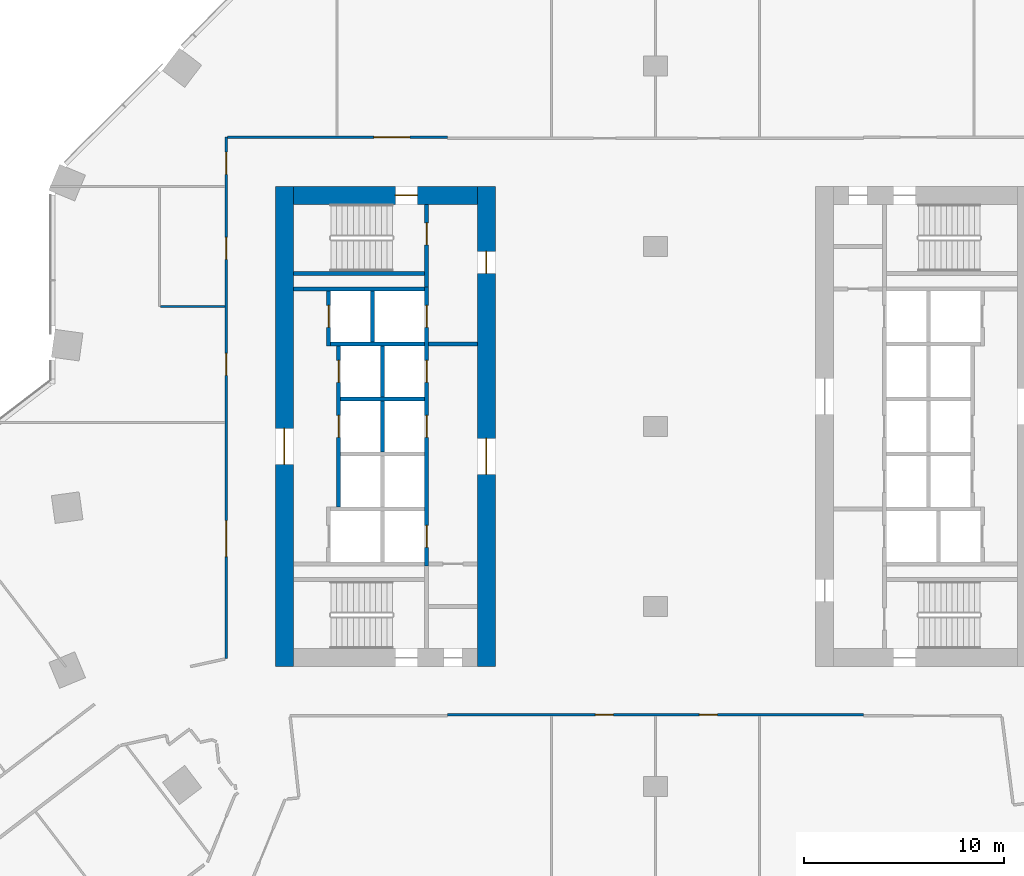
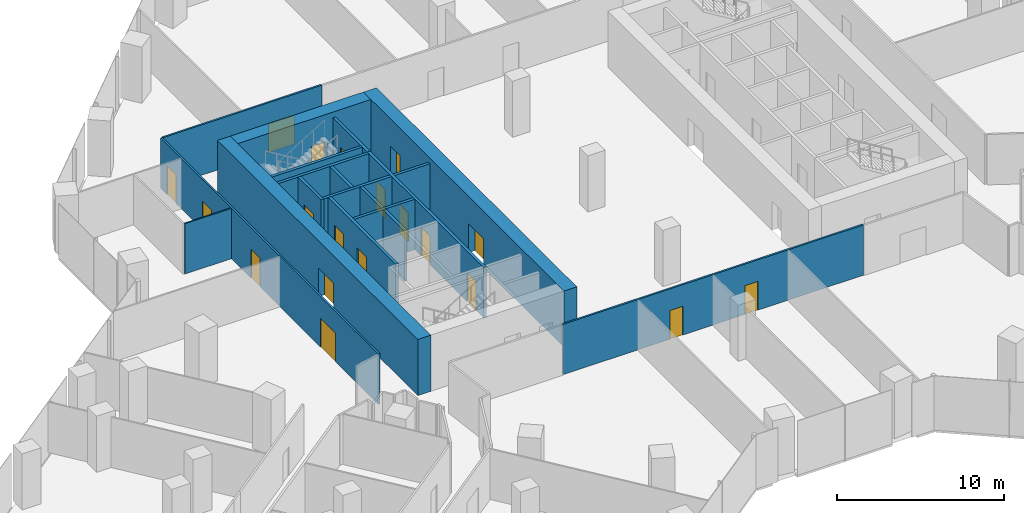
# One storey, part 23 of 29: 19 doors, 19 walls, 19 openings.
"""IFC4 building model written with IfcOpenShell, lengths in metres."""

from ifc_helpers import new_model, si_unit, direction, frame, frame_2d, origin, place, context, subcontext, project, spatial, rectangle, extrude, material, layer, layer_set, type_object, element, fill, save


model = new_model("IFC4")

# Units and contexts
model_context = context("Model", 3, precision=1e-05, world=origin(), true_north=direction((0.0, 1.0)))
body_context = subcontext(model_context, "Body", "Model", "MODEL_VIEW")
ifc_project = project(units=[si_unit("LENGTHUNIT", "METRE"), si_unit("AREAUNIT", "SQUARE_METRE"), si_unit("VOLUMEUNIT", "CUBIC_METRE"), si_unit("PLANEANGLEUNIT", "RADIAN"), si_unit("MASSUNIT", "GRAM", prefix="KILO")], contexts=[model_context])

# Site, building, storey
site_placement = place(None, origin())
site = spatial("IfcSite", under=ifc_project, at=site_placement, CompositionType="ELEMENT")
building_placement = place(site_placement, origin())
building = spatial("IfcBuilding", under=site, at=building_placement, Name="Orlundy Tower", CompositionType="ELEMENT")
storey_placement = place(building_placement, frame((0.0, 0.0, 25.10009765625)))
storey = spatial("IfcBuildingStorey", under=building, at=storey_placement, Name="L04", CompositionType="ELEMENT", Elevation=25.10009765625)

# Wall, opening, door
ifc_material_1 = material(Name="Concrete C80/95", Category="concrete")
ifc_layer_1 = layer(ifc_material_1, 0.89990234375)
ifc_layer_set_1 = layer_set([ifc_layer_1], Name="CORE WALL 900 C80/95")
wall_type_1 = type_object("IfcWallType", Name="CORE WALL 900 C80/95", PredefinedType="SHEAR", material=ifc_layer_set_1)
wall_1_placement = place(storey_placement, frame((-18.10009765625, 11.550048828125, 0.0), z_axis=(0.0, 0.0, 1.0), x_axis=(1.0, 0.0, 0.0)))
wall_1 = element("IfcWall", 1, at=wall_1_placement, inside=storey, type_object=wall_type_1, Name="Core wall W-N L04", PredefinedType="SHEAR", context=body_context, shape_type="SweptSolid", body=[
    extrude(rectangle(XDim=9.2001953125, YDim=0.89990234375, at=frame_2d((4.60009765625, 0.0))), origin(), (0.0, 0.0, 1.0), 4.099853515625),
])
opening_1_placement = place(wall_1_placement, frame((5.10009765625, 0.0, 0.0)))
opening_1 = element("IfcOpeningElement", 2, at=opening_1_placement, cuts=wall_1, Name="Opening 05012", PredefinedType="OPENING", context=body_context, shape_type="SweptSolid", body=[
    extrude(rectangle(XDim=1.10009765625, YDim=2.10009765625, at=frame_2d((0.550048828125, 1.050048828125))), frame((0.0, 0.4599609375, 0.0), z_axis=(0.0, -1.0, 0.0), x_axis=(1.0, 0.0, 0.0)), (0.0, 0.0, 1.0), 0.919921875),
])
ifc_material_2 = material(Name="Steel door set", Category="steel")
door_type_1 = type_object("IfcDoorType", Name="Stair Door 1100x2100", OperationType="SINGLE_SWING_LEFT", PredefinedType="DOOR", material=ifc_material_2)
door_1_placement = place(opening_1_placement, origin())
door_1 = element("IfcDoor", 3, at=door_1_placement, inside=storey, type_object=door_type_1, Name="Stair door 05012", OperationType="SINGLE_SWING_RIGHT", OverallHeight=2.10009765625, OverallWidth=1.10009765625, PredefinedType="DOOR", context=body_context, shape_type="SweptSolid", body=[
    extrude(rectangle(XDim=1.10009765625, YDim=2.10009765625, at=frame_2d((0.550048828125, 1.050048828125))), frame((0.0, 0.02490234375, 0.0), z_axis=(0.0, -1.0, 0.0), x_axis=(1.0, 0.0, 0.0)), (0.0, 0.0, 1.0), 0.050048828125),
])
fill(opening_1, door_1)

wall_2_placement = place(storey_placement, frame((-18.550048828125, -12.0, 0.0), z_axis=(0.0, 0.0, 1.0), x_axis=(0.0, 1.0, 0.0)))
wall_2 = element("IfcWall", 4, at=wall_2_placement, inside=storey, type_object=wall_type_1, Name="Core wall W-W L04", PredefinedType="SHEAR", context=body_context, shape_type="SweptSolid", body=[
    extrude(rectangle(XDim=24.0, YDim=0.89990234375, at=frame_2d((12.0, 0.0))), origin(), (0.0, 0.0, 1.0), 4.099853515625),
])
opening_2_placement = place(wall_2_placement, frame((10.10009765625, 0.0, 0.0)))
opening_2 = element("IfcOpeningElement", 5, at=opening_2_placement, cuts=wall_2, Name="Opening 05010", PredefinedType="OPENING", context=body_context, shape_type="SweptSolid", body=[
    extrude(rectangle(XDim=1.800048828125, YDim=2.10009765625, at=frame_2d((0.89990234375, 1.050048828125))), frame((0.0, 0.4599609375, 0.0), z_axis=(0.0, -1.0, 0.0), x_axis=(1.0, 0.0, 0.0)), (0.0, 0.0, 1.0), 0.919921875),
])
ifc_material_3 = material(Name="Timber door set", Category="wood")
door_type_2 = type_object("IfcDoorType", Name="Lobby Door 1800x2100", OperationType="DOUBLE_DOOR_DOUBLE_SWING", PredefinedType="DOOR", material=ifc_material_3)
door_2_placement = place(opening_2_placement, origin())
door_2 = element("IfcDoor", 6, at=door_2_placement, inside=storey, type_object=door_type_2, Name="Lift lobby door 05010", OperationType="SINGLE_SWING_LEFT", OverallHeight=2.10009765625, OverallWidth=1.800048828125, PredefinedType="DOOR", context=body_context, shape_type="SweptSolid", body=[
    extrude(rectangle(XDim=1.800048828125, YDim=2.10009765625, at=frame_2d((0.89990234375, 1.050048828125))), frame((0.0, 0.02490234375, 0.0), z_axis=(0.0, -1.0, 0.0), x_axis=(1.0, 0.0, 0.0)), (0.0, 0.0, 1.0), 0.050048828125),
])
fill(opening_2, door_2)

# Wall, openings, doors
wall_3_placement = place(storey_placement, frame((-8.449951171875, -12.0, 0.0), z_axis=(0.0, 0.0, 1.0), x_axis=(0.0, 1.0, 0.0)))
wall_3 = element("IfcWall", 7, at=wall_3_placement, inside=storey, type_object=wall_type_1, Name="Core wall W-E L04", PredefinedType="SHEAR", context=body_context, shape_type="SweptSolid", body=[
    extrude(rectangle(XDim=24.0, YDim=0.89990234375, at=frame_2d((12.0, 0.0))), origin(), (0.0, 0.0, 1.0), 4.099853515625),
])
opening_3_placement = place(wall_3_placement, frame((9.60009765625, 0.0, 0.0)))
opening_3 = element("IfcOpeningElement", 8, at=opening_3_placement, cuts=wall_3, Name="Opening 05009", PredefinedType="OPENING", context=body_context, shape_type="SweptSolid", body=[
    extrude(rectangle(XDim=1.800048828125, YDim=2.10009765625, at=frame_2d((0.89990234375, 1.050048828125))), frame((0.0, 0.4599609375, 0.0), z_axis=(0.0, -1.0, 0.0), x_axis=(1.0, 0.0, 0.0)), (0.0, 0.0, 1.0), 0.919921875),
])
opening_4_placement = place(wall_3_placement, frame((19.64990234375, 0.0, 0.0)))
opening_4 = element("IfcOpeningElement", 9, at=opening_4_placement, cuts=wall_3, Name="Opening 05011", PredefinedType="OPENING", context=body_context, shape_type="SweptSolid", body=[
    extrude(rectangle(XDim=1.10009765625, YDim=2.10009765625, at=frame_2d((0.550048828125, 1.050048828125))), frame((0.0, 0.4599609375, 0.0), z_axis=(0.0, -1.0, 0.0), x_axis=(1.0, 0.0, 0.0)), (0.0, 0.0, 1.0), 0.919921875),
])
ifc_material_4 = material(Name="Steel door set", Category="steel")
door_type_3 = type_object("IfcDoorType", Name="Fire-fighting Lobby Door 1100x2100", OperationType="SINGLE_SWING_LEFT", PredefinedType="DOOR", material=ifc_material_4)
door_3_placement = place(opening_4_placement, origin())
door_3 = element("IfcDoor", 10, at=door_3_placement, inside=storey, type_object=door_type_3, Name="Fire-fighting lobby door 05011", OperationType="SINGLE_SWING_RIGHT", OverallHeight=2.10009765625, OverallWidth=1.10009765625, PredefinedType="DOOR", context=body_context, shape_type="SweptSolid", body=[
    extrude(rectangle(XDim=1.10009765625, YDim=2.10009765625, at=frame_2d((0.550048828125, 1.050048828125))), frame((0.0, 0.02490234375, 0.0), z_axis=(0.0, -1.0, 0.0), x_axis=(1.0, 0.0, 0.0)), (0.0, 0.0, 1.0), 0.050048828125),
])
fill(opening_4, door_3)
door_4_placement = place(opening_3_placement, origin())
door_4 = element("IfcDoor", 11, at=door_4_placement, inside=storey, type_object=door_type_2, Name="Lift lobby door 05009", OperationType="SINGLE_SWING_LEFT", OverallHeight=2.10009765625, OverallWidth=1.800048828125, PredefinedType="DOOR", context=body_context, shape_type="SweptSolid", body=[
    extrude(rectangle(XDim=1.800048828125, YDim=2.10009765625, at=frame_2d((0.89990234375, 1.050048828125))), frame((0.0, 0.02490234375, 0.0), z_axis=(0.0, -1.0, 0.0), x_axis=(1.0, 0.0, 0.0)), (0.0, 0.0, 1.0), 0.050048828125),
])
fill(opening_3, door_4)

# Wall
ifc_material_5 = material(Name="Gypsum board partition")
ifc_layer_2 = layer(ifc_material_5, 0.10009765625)
ifc_layer_set_2 = layer_set([ifc_layer_2], Name="Floor partition 100")
wall_type_2 = type_object("IfcWallType", Name="Floor partition 100", PredefinedType="PARTITIONING", material=ifc_layer_set_2)
wall_4_placement = place(storey_placement, frame((-24.73193359375, 6.0009765625, 0.0), z_axis=(0.0, 0.0, 1.0), x_axis=(1.0, 0.0, 0.0)))
element("IfcWall", 12, at=wall_4_placement, inside=storey, type_object=wall_type_2, Name="wall-int-L04-044", PredefinedType="PARTITIONING", context=body_context, shape_type="SweptSolid", body=[
    extrude(rectangle(XDim=3.219970703125, YDim=0.10009765625, at=frame_2d((1.60986328125, 0.0))), origin(), (0.0, 0.0, 1.0), 3.679931640625),
])

# Wall, openings, doors
ifc_material_6 = material(Name="Gypsum board partition, double layer")
ifc_layer_3 = layer(ifc_material_6, 0.125)
ifc_layer_set_3 = layer_set([ifc_layer_3], Name="Floor partition 125")
wall_type_3 = type_object("IfcWallType", Name="Floor partition 125", PredefinedType="PARTITIONING", material=ifc_layer_set_3)
wall_5_placement = place(storey_placement, frame((10.39111328125, -14.40087890625, 0.0), z_axis=(0.0, 0.0, 1.0), x_axis=(-1.0, 0.0, 0.0)))
wall_5 = element("IfcWall", 13, at=wall_5_placement, inside=storey, type_object=wall_type_3, Name="wall-int-L04-041", PredefinedType="PARTITIONING", context=body_context, shape_type="SweptSolid", body=[
    extrude(rectangle(XDim=20.781005859375, YDim=0.125, at=frame_2d((10.390625, 0.0))), origin(), (0.0, 0.0, 1.0), 3.679931640625),
])
opening_5_placement = place(wall_5_placement, frame((12.490966796875, 0.0, 0.0)))
opening_5 = element("IfcOpeningElement", 14, at=opening_5_placement, cuts=wall_5, Name="Opening 05125", PredefinedType="OPENING", context=body_context, shape_type="SweptSolid", body=[
    extrude(rectangle(XDim=0.89990234375, YDim=2.10009765625, at=frame_2d((0.449951171875, 1.050048828125))), frame((0.0, 0.072509765625, 0.0), z_axis=(0.0, -1.0, 0.0), x_axis=(1.0, 0.0, 0.0)), (0.0, 0.0, 1.0), 0.14501953125),
])
opening_6_placement = place(wall_5_placement, frame((7.294921875, 0.0, 0.0)))
opening_6 = element("IfcOpeningElement", 15, at=opening_6_placement, cuts=wall_5, Name="Opening 05126", PredefinedType="OPENING", context=body_context, shape_type="SweptSolid", body=[
    extrude(rectangle(XDim=0.89990234375, YDim=2.10009765625, at=frame_2d((0.449951171875, 1.050048828125))), frame((0.0, 0.072509765625, 0.0), z_axis=(0.0, -1.0, 0.0), x_axis=(1.0, 0.0, 0.0)), (0.0, 0.0, 1.0), 0.14501953125),
])
ifc_material_7 = material(Name="Timber door leaf", Category="wood")
door_type_4 = type_object("IfcDoorType", Name="Floor door single 900 FD30S", OperationType="NOTDEFINED", PredefinedType="DOOR", material=ifc_material_7)
door_5_placement = place(opening_5_placement, origin())
door_5 = element("IfcDoor", 16, at=door_5_placement, inside=storey, type_object=door_type_4, Name="Door 05125", OperationType="SINGLE_SWING_RIGHT", OverallHeight=2.10009765625, OverallWidth=0.89990234375, PredefinedType="DOOR", context=body_context, shape_type="SweptSolid", body=[
    extrude(rectangle(XDim=0.89990234375, YDim=2.10009765625, at=frame_2d((0.449951171875, 1.050048828125))), frame((0.0, 0.02490234375, 0.0), z_axis=(0.0, -1.0, 0.0), x_axis=(1.0, 0.0, 0.0)), (0.0, 0.0, 1.0), 0.050048828125),
])
fill(opening_5, door_5)
door_6_placement = place(opening_6_placement, origin())
door_6 = element("IfcDoor", 17, at=door_6_placement, inside=storey, type_object=door_type_4, Name="Door 05126", OperationType="SINGLE_SWING_LEFT", OverallHeight=2.10009765625, OverallWidth=0.89990234375, PredefinedType="DOOR", context=body_context, shape_type="SweptSolid", body=[
    extrude(rectangle(XDim=0.89990234375, YDim=2.10009765625, at=frame_2d((0.449951171875, 1.050048828125))), frame((0.0, 0.02490234375, 0.0), z_axis=(0.0, -1.0, 0.0), x_axis=(1.0, 0.0, 0.0)), (0.0, 0.0, 1.0), 0.050048828125),
])
fill(opening_6, door_6)

# Wall, opening, door
wall_6_placement = place(storey_placement, frame((-21.386962890625, 14.450927734375, 0.0), z_axis=(0.0, 0.0, 1.0), x_axis=(1.0, 0.0, 0.0)))
wall_6 = element("IfcWall", 18, at=wall_6_placement, inside=storey, type_object=wall_type_3, Name="wall-int-L04-048", PredefinedType="PARTITIONING", context=body_context, shape_type="SweptSolid", body=[
    extrude(rectangle(XDim=10.995849609375, YDim=0.125, at=frame_2d((5.498046875, 0.0))), origin(), (0.0, 0.0, 1.0), 3.679931640625),
])
opening_7_placement = place(wall_6_placement, frame((7.3173828125, 0.0, 0.0)))
opening_7 = element("IfcOpeningElement", 19, at=opening_7_placement, cuts=wall_6, Name="Opening 05135", PredefinedType="OPENING", context=body_context, shape_type="SweptSolid", body=[
    extrude(rectangle(XDim=1.800048828125, YDim=2.10009765625, at=frame_2d((0.89990234375, 1.050048828125))), frame((0.0, 0.072509765625, 0.0), z_axis=(0.0, -1.0, 0.0), x_axis=(1.0, 0.0, 0.0)), (0.0, 0.0, 1.0), 0.14501953125),
])
ifc_material_8 = material(Name="Timber door leaf", Category="wood")
door_type_5 = type_object("IfcDoorType", Name="Floor door double 1800 FD30S", OperationType="NOTDEFINED", PredefinedType="DOOR", material=ifc_material_8)
door_7_placement = place(opening_7_placement, origin())
door_7 = element("IfcDoor", 20, at=door_7_placement, inside=storey, type_object=door_type_5, Name="Door 05135", OperationType="DOUBLE_DOOR_SINGLE_SWING", OverallHeight=2.10009765625, OverallWidth=1.800048828125, PredefinedType="DOOR", context=body_context, shape_type="SweptSolid", body=[
    extrude(rectangle(XDim=1.800048828125, YDim=2.10009765625, at=frame_2d((0.89990234375, 1.050048828125))), frame((0.0, 0.02490234375, 0.0), z_axis=(0.0, -1.0, 0.0), x_axis=(1.0, 0.0, 0.0)), (0.0, 0.0, 1.0), 0.050048828125),
])
fill(opening_7, door_7)

# Wall, openings, doors
wall_7_placement = place(storey_placement, frame((-21.449951171875, -11.60693359375, 0.0), z_axis=(0.0, 0.0, 1.0), x_axis=(0.0, 1.0, 0.0)))
wall_7 = element("IfcWall", 21, at=wall_7_placement, inside=storey, type_object=wall_type_3, Name="wall-int-L04-096", PredefinedType="PARTITIONING", context=body_context, shape_type="SweptSolid", body=[
    extrude(rectangle(XDim=26.057861328125, YDim=0.125, at=frame_2d((13.02880859375, 0.0))), origin(), (0.0, 0.0, 1.0), 3.679931640625),
])
opening_8_placement = place(wall_7_placement, frame((5.10009765625, 0.0, 0.0)))
opening_8 = element("IfcOpeningElement", 22, at=opening_8_placement, cuts=wall_7, Name="Opening 05122", PredefinedType="OPENING", context=body_context, shape_type="SweptSolid", body=[
    extrude(rectangle(XDim=1.800048828125, YDim=2.10009765625, at=frame_2d((0.89990234375, 1.050048828125))), frame((0.0, 0.072509765625, 0.0), z_axis=(0.0, -1.0, 0.0), x_axis=(1.0, 0.0, 0.0)), (0.0, 0.0, 1.0), 0.14501953125),
])
opening_9_placement = place(wall_7_placement, frame((24.20703125, 0.0, 0.0)))
opening_9 = element("IfcOpeningElement", 23, at=opening_9_placement, cuts=wall_7, Name="Opening 05136", PredefinedType="OPENING", context=body_context, shape_type="SweptSolid", body=[
    extrude(rectangle(XDim=1.10009765625, YDim=2.10009765625, at=frame_2d((0.550048828125, 1.050048828125))), frame((0.0, 0.072509765625, 0.0), z_axis=(0.0, -1.0, 0.0), x_axis=(1.0, 0.0, 0.0)), (0.0, 0.0, 1.0), 0.14501953125),
])
opening_10_placement = place(wall_7_placement, frame((14.153076171875, 0.0, 0.0)))
opening_10 = element("IfcOpeningElement", 24, at=opening_10_placement, cuts=wall_7, Name="Opening 05137", PredefinedType="OPENING", context=body_context, shape_type="SweptSolid", body=[
    extrude(rectangle(XDim=1.10009765625, YDim=2.10009765625, at=frame_2d((0.550048828125, 1.050048828125))), frame((0.0, 0.072509765625, 0.0), z_axis=(0.0, -1.0, 0.0), x_axis=(1.0, 0.0, 0.0)), (0.0, 0.0, 1.0), 0.14501953125),
])
opening_11_placement = place(wall_7_placement, frame((19.9580078125, 0.0, 0.0)))
opening_11 = element("IfcOpeningElement", 25, at=opening_11_placement, cuts=wall_7, Name="Opening 05138", PredefinedType="OPENING", context=body_context, shape_type="SweptSolid", body=[
    extrude(rectangle(XDim=1.10009765625, YDim=2.10009765625, at=frame_2d((0.550048828125, 1.050048828125))), frame((0.0, 0.072509765625, 0.0), z_axis=(0.0, -1.0, 0.0), x_axis=(1.0, 0.0, 0.0)), (0.0, 0.0, 1.0), 0.14501953125),
])
door_8_placement = place(opening_8_placement, origin())
door_8 = element("IfcDoor", 26, at=door_8_placement, inside=storey, type_object=door_type_5, Name="Door 05122", OperationType="DOUBLE_DOOR_SINGLE_SWING", OverallHeight=2.10009765625, OverallWidth=1.800048828125, PredefinedType="DOOR", context=body_context, shape_type="SweptSolid", body=[
    extrude(rectangle(XDim=1.800048828125, YDim=2.10009765625, at=frame_2d((0.89990234375, 1.050048828125))), frame((0.0, 0.02490234375, 0.0), z_axis=(0.0, -1.0, 0.0), x_axis=(1.0, 0.0, 0.0)), (0.0, 0.0, 1.0), 0.050048828125),
])
fill(opening_8, door_8)
ifc_material_9 = material(Name="Timber door leaf", Category="wood")
door_type_6 = type_object("IfcDoorType", Name="Floor door xwide 1100 FD30S", OperationType="NOTDEFINED", PredefinedType="DOOR", material=ifc_material_9)
door_9_placement = place(opening_9_placement, origin())
door_9 = element("IfcDoor", 27, at=door_9_placement, inside=storey, type_object=door_type_6, Name="Door 05136", OperationType="SINGLE_SWING_RIGHT", OverallHeight=2.10009765625, OverallWidth=1.10009765625, PredefinedType="DOOR", context=body_context, shape_type="SweptSolid", body=[
    extrude(rectangle(XDim=1.10009765625, YDim=2.10009765625, at=frame_2d((0.550048828125, 1.050048828125))), frame((0.0, 0.02490234375, 0.0), z_axis=(0.0, -1.0, 0.0), x_axis=(1.0, 0.0, 0.0)), (0.0, 0.0, 1.0), 0.050048828125),
])
fill(opening_9, door_9)
door_10_placement = place(opening_10_placement, origin())
door_10 = element("IfcDoor", 28, at=door_10_placement, inside=storey, type_object=door_type_6, Name="Door 05137", OperationType="SINGLE_SWING_RIGHT", OverallHeight=2.10009765625, OverallWidth=1.10009765625, PredefinedType="DOOR", context=body_context, shape_type="SweptSolid", body=[
    extrude(rectangle(XDim=1.10009765625, YDim=2.10009765625, at=frame_2d((0.550048828125, 1.050048828125))), frame((0.0, 0.02490234375, 0.0), z_axis=(0.0, -1.0, 0.0), x_axis=(1.0, 0.0, 0.0)), (0.0, 0.0, 1.0), 0.050048828125),
])
fill(opening_10, door_10)
door_11_placement = place(opening_11_placement, origin())
door_11 = element("IfcDoor", 29, at=door_11_placement, inside=storey, type_object=door_type_6, Name="Door 05138", OperationType="SINGLE_SWING_RIGHT", OverallHeight=2.10009765625, OverallWidth=1.10009765625, PredefinedType="DOOR", context=body_context, shape_type="SweptSolid", body=[
    extrude(rectangle(XDim=1.10009765625, YDim=2.10009765625, at=frame_2d((0.550048828125, 1.050048828125))), frame((0.0, 0.02490234375, 0.0), z_axis=(0.0, -1.0, 0.0), x_axis=(1.0, 0.0, 0.0)), (0.0, 0.0, 1.0), 0.050048828125),
])
fill(opening_11, door_11)

# Wall, opening, door
ifc_material_10 = material(Name="Concrete C40/50", Category="concrete")
ifc_layer_4 = layer(ifc_material_10, 0.199951171875)
ifc_layer_set_4 = layer_set([ifc_layer_4], Name="Load-bearing Shaft Wall 200")
wall_type_4 = type_object("IfcWallType", Name="Load-bearing Shaft Wall 200", PredefinedType="SOLIDWALL", material=ifc_layer_set_4)
wall_8_placement = place(storey_placement, frame((-11.43994140625, 6.97509765625, 0.0), z_axis=(0.0, 0.0, 1.0), x_axis=(0.0, 1.0, 0.0)))
wall_8 = element("IfcWall", 30, at=wall_8_placement, inside=storey, type_object=wall_type_4, Name="Shaft wall W05-stair-end-n", PredefinedType="SOLIDWALL", context=body_context, shape_type="SweptSolid", body=[
    extrude(rectangle(XDim=4.125, YDim=0.199951171875, at=frame_2d((2.0625, 0.0))), origin(), (0.0, 0.0, 1.0), 3.68994140625),
])
opening_12_placement = place(wall_8_placement, frame((2.10009765625, 0.0, 0.0)))
opening_12 = element("IfcOpeningElement", 31, at=opening_12_placement, cuts=wall_8, Name="Opening 05014", PredefinedType="OPENING", context=body_context, shape_type="SweptSolid", body=[
    extrude(rectangle(XDim=1.10009765625, YDim=2.10009765625, at=frame_2d((0.550048828125, 1.050048828125))), frame((0.0, 0.110107421875, 0.0), z_axis=(0.0, -1.0, 0.0), x_axis=(1.0, 0.0, 0.0)), (0.0, 0.0, 1.0), 0.22021484375),
])
door_12_placement = place(opening_12_placement, origin())
door_12 = element("IfcDoor", 32, at=door_12_placement, inside=storey, type_object=door_type_3, Name="Fire-fighting lobby to stair door 05014", OperationType="SINGLE_SWING_RIGHT", OverallHeight=2.10009765625, OverallWidth=1.10009765625, PredefinedType="DOOR", context=body_context, shape_type="SweptSolid", body=[
    extrude(rectangle(XDim=1.10009765625, YDim=2.10009765625, at=frame_2d((0.550048828125, 1.050048828125))), frame((0.0, 0.02490234375, 0.0), z_axis=(0.0, -1.0, 0.0), x_axis=(1.0, 0.0, 0.0)), (0.0, 0.0, 1.0), 0.050048828125),
])
fill(opening_12, door_12)

# Walls
wall_9_placement = place(storey_placement, frame((-11.5400390625, 7.64990234375, 0.0), z_axis=(0.0, 0.0, 1.0), x_axis=(-1.0, 0.0, 0.0)))
element("IfcWall", 33, at=wall_9_placement, inside=storey, type_object=wall_type_4, Name="Shaft wall W05-stair-side-n", PredefinedType="SOLIDWALL", context=body_context, shape_type="SweptSolid", body=[
    extrude(rectangle(XDim=6.56005859375, YDim=0.199951171875, at=frame_2d((3.280029296875, 0.0))), origin(), (0.0, 0.0, 1.0), 3.68994140625),
])
ifc_material_11 = material(Name="Gypsum board partition on steel studs", Category="steel")
ifc_layer_5 = layer(ifc_material_11, 0.199951171875)
ifc_layer_set_5 = layer_set([ifc_layer_5], Name="Partition 200")
wall_type_5 = type_object("IfcWallType", Name="Partition 200", PredefinedType="PARTITIONING", material=ifc_layer_set_5)
wall_10_placement = place(storey_placement, frame((-8.89990234375, 4.125, 0.0), z_axis=(0.0, 0.0, 1.0), x_axis=(-1.0, 0.0, 0.0)))
element("IfcWall", 34, at=wall_10_placement, inside=storey, type_object=wall_type_5, Name="Partition wall W05-lobby-n", PredefinedType="PARTITIONING", context=body_context, shape_type="SweptSolid", body=[
    extrude(rectangle(XDim=2.440185546875, YDim=0.199951171875, at=frame_2d((1.22021484375, 0.0))), origin(), (0.0, 0.0, 1.0), 3.68994140625),
])
ifc_material_12 = material(Name="Fire-rated blockwork shaft wall", Category="masonry")
ifc_layer_6 = layer(ifc_material_12, 0.199951171875)
ifc_layer_set_6 = layer_set([ifc_layer_6], Name="Shaft Wall 200")
wall_type_6 = type_object("IfcWallType", Name="Shaft Wall 200", PredefinedType="SOLIDWALL", material=ifc_layer_set_6)
wall_11_placement = place(storey_placement, frame((-11.5400390625, 6.875, 0.0), z_axis=(0.0, 0.0, 1.0), x_axis=(-1.0, 0.0, 0.0)))
element("IfcWall", 35, at=wall_11_placement, inside=storey, type_object=wall_type_6, Name="Shaft wall W05-zone-n", PredefinedType="SOLIDWALL", context=body_context, shape_type="SweptSolid", body=[
    extrude(rectangle(XDim=6.56005859375, YDim=0.199951171875, at=frame_2d((3.280029296875, 0.0))), origin(), (0.0, 0.0, 1.0), 3.68994140625),
])
wall_12_placement = place(storey_placement, frame((-11.5400390625, 1.375, 0.0), z_axis=(0.0, 0.0, 1.0), x_axis=(-1.0, 0.0, 0.0)))
element("IfcWall", 36, at=wall_12_placement, inside=storey, type_object=wall_type_6, Name="Shaft wall W05-cross+1.375", PredefinedType="SOLIDWALL", context=body_context, shape_type="SweptSolid", body=[
    extrude(rectangle(XDim=4.199951171875, YDim=0.199951171875, at=frame_2d((2.10009765625, 0.0))), origin(), (0.0, 0.0, 1.0), 3.68994140625),
])
wall_13_placement = place(storey_placement, frame((-11.5400390625, 4.125, 0.0), z_axis=(0.0, 0.0, 1.0), x_axis=(-1.0, 0.0, 0.0)))
element("IfcWall", 37, at=wall_13_placement, inside=storey, type_object=wall_type_6, Name="Shaft wall W05-cross+4.125", PredefinedType="SOLIDWALL", context=body_context, shape_type="SweptSolid", body=[
    extrude(rectangle(XDim=4.699951171875, YDim=0.199951171875, at=frame_2d((2.35009765625, 0.0))), origin(), (0.0, 0.0, 1.0), 3.68994140625),
])

# Wall, openings, doors
wall_14_placement = place(storey_placement, frame((-11.43994140625, -6.97509765625, 0.0), z_axis=(0.0, 0.0, 1.0), x_axis=(0.0, 1.0, 0.0)))
wall_14 = element("IfcWall", 38, at=wall_14_placement, inside=storey, type_object=wall_type_6, Name="Shaft wall W05-front-h", PredefinedType="SOLIDWALL", context=body_context, shape_type="SweptSolid", body=[
    extrude(rectangle(XDim=13.9501953125, YDim=0.199951171875, at=frame_2d((6.97509765625, 0.0))), origin(), (0.0, 0.0, 1.0), 3.68994140625),
])
opening_13_placement = place(wall_14_placement, frame((0.925048828125, 0.0, 0.0)))
opening_13 = element("IfcOpeningElement", 39, at=opening_13_placement, cuts=wall_14, Name="Opening 05001", PredefinedType="OPENING", context=body_context, shape_type="SweptSolid", body=[
    extrude(rectangle(XDim=1.10009765625, YDim=2.10009765625, at=frame_2d((0.550048828125, 1.050048828125))), frame((0.0, 0.110107421875, 0.0), z_axis=(0.0, -1.0, 0.0), x_axis=(1.0, 0.0, 0.0)), (0.0, 0.0, 1.0), 0.22021484375),
])
opening_14_placement = place(wall_14_placement, frame((6.425048828125, 0.0, 0.0)))
opening_14 = element("IfcOpeningElement", 40, at=opening_14_placement, cuts=wall_14, Name="Opening 05003", PredefinedType="OPENING", context=body_context, shape_type="SweptSolid", body=[
    extrude(rectangle(XDim=1.10009765625, YDim=2.10009765625, at=frame_2d((0.550048828125, 1.050048828125))), frame((0.0, 0.110107421875, 0.0), z_axis=(0.0, -1.0, 0.0), x_axis=(1.0, 0.0, 0.0)), (0.0, 0.0, 1.0), 0.22021484375),
])
opening_15_placement = place(wall_14_placement, frame((9.175048828125, 0.0, 0.0)))
opening_15 = element("IfcOpeningElement", 41, at=opening_15_placement, cuts=wall_14, Name="Opening 05005", PredefinedType="OPENING", context=body_context, shape_type="SweptSolid", body=[
    extrude(rectangle(XDim=1.10009765625, YDim=2.10009765625, at=frame_2d((0.550048828125, 1.050048828125))), frame((0.0, 0.110107421875, 0.0), z_axis=(0.0, -1.0, 0.0), x_axis=(1.0, 0.0, 0.0)), (0.0, 0.0, 1.0), 0.22021484375),
])
opening_16_placement = place(wall_14_placement, frame((11.925048828125, 0.0, 0.0)))
opening_16 = element("IfcOpeningElement", 42, at=opening_16_placement, cuts=wall_14, Name="Opening 05007", PredefinedType="OPENING", context=body_context, shape_type="SweptSolid", body=[
    extrude(rectangle(XDim=1.10009765625, YDim=2.10009765625, at=frame_2d((0.550048828125, 1.050048828125))), frame((0.0, 0.110107421875, 0.0), z_axis=(0.0, -1.0, 0.0), x_axis=(1.0, 0.0, 0.0)), (0.0, 0.0, 1.0), 0.22021484375),
])
ifc_material_13 = material(Name="Steel door set", Category="steel")
door_type_7 = type_object("IfcDoorType", Name="Landing Door 1100x2100", OperationType="DOUBLE_DOOR_SLIDING", PredefinedType="DOOR", material=ifc_material_13)
door_13_placement = place(opening_13_placement, origin())
door_13 = element("IfcDoor", 43, at=door_13_placement, inside=storey, type_object=door_type_7, Name="Lift landing door LPD-01 05001", OperationType="DOUBLE_DOOR_SLIDING", OverallHeight=2.10009765625, OverallWidth=1.10009765625, PredefinedType="DOOR", context=body_context, shape_type="SweptSolid", body=[
    extrude(rectangle(XDim=1.10009765625, YDim=2.10009765625, at=frame_2d((0.550048828125, 1.050048828125))), frame((0.0, 0.02490234375, 0.0), z_axis=(0.0, -1.0, 0.0), x_axis=(1.0, 0.0, 0.0)), (0.0, 0.0, 1.0), 0.050048828125),
])
fill(opening_13, door_13)
door_14_placement = place(opening_14_placement, origin())
door_14 = element("IfcDoor", 44, at=door_14_placement, inside=storey, type_object=door_type_7, Name="Lift landing door LP-05 05003", OperationType="DOUBLE_DOOR_SLIDING", OverallHeight=2.10009765625, OverallWidth=1.10009765625, PredefinedType="DOOR", context=body_context, shape_type="SweptSolid", body=[
    extrude(rectangle(XDim=1.10009765625, YDim=2.10009765625, at=frame_2d((0.550048828125, 1.050048828125))), frame((0.0, 0.02490234375, 0.0), z_axis=(0.0, -1.0, 0.0), x_axis=(1.0, 0.0, 0.0)), (0.0, 0.0, 1.0), 0.050048828125),
])
fill(opening_14, door_14)
door_15_placement = place(opening_15_placement, origin())
door_15 = element("IfcDoor", 45, at=door_15_placement, inside=storey, type_object=door_type_7, Name="Lift landing door LP-02 05005", OperationType="DOUBLE_DOOR_SLIDING", OverallHeight=2.10009765625, OverallWidth=1.10009765625, PredefinedType="DOOR", context=body_context, shape_type="SweptSolid", body=[
    extrude(rectangle(XDim=1.10009765625, YDim=2.10009765625, at=frame_2d((0.550048828125, 1.050048828125))), frame((0.0, 0.02490234375, 0.0), z_axis=(0.0, -1.0, 0.0), x_axis=(1.0, 0.0, 0.0)), (0.0, 0.0, 1.0), 0.050048828125),
])
fill(opening_15, door_15)
door_16_placement = place(opening_16_placement, origin())
door_16 = element("IfcDoor", 46, at=door_16_placement, inside=storey, type_object=door_type_7, Name="Lift landing door FL1 05007", OperationType="DOUBLE_DOOR_SLIDING", OverallHeight=2.10009765625, OverallWidth=1.10009765625, PredefinedType="DOOR", context=body_context, shape_type="SweptSolid", body=[
    extrude(rectangle(XDim=1.10009765625, YDim=2.10009765625, at=frame_2d((0.550048828125, 1.050048828125))), frame((0.0, 0.02490234375, 0.0), z_axis=(0.0, -1.0, 0.0), x_axis=(1.0, 0.0, 0.0)), (0.0, 0.0, 1.0), 0.050048828125),
])
fill(opening_16, door_16)

# Walls
for number, where, z_axis, x_axis, name in (
    (47, (-13.639892578125, -1.27490234375, 0.0), (0.0, 0.0, 1.0), (0.0, 1.0, 0.0), "Shaft wall W05-mid-a.2"),
    (48, (-13.639892578125, 1.47509765625, 0.0), (0.0, 0.0, 1.0), (0.0, 1.0, 0.0), "Shaft wall W05-mid-a.3"),
    (49, (-14.139892578125, 4.22509765625, 0.0), (0.0, 0.0, 1.0), (0.0, 1.0, 0.0), "Shaft wall W05-mid-b"),
):
    element("IfcWall", number, at=place(storey_placement, frame(where, z_axis=z_axis, x_axis=x_axis)), inside=storey, type_object=wall_type_6, Name=name, PredefinedType="SOLIDWALL", context=body_context, shape_type="SweptSolid", body=[
        extrude(rectangle(XDim=2.5498046875, YDim=0.199951171875, at=frame_2d((1.27490234375, 0.0))), origin(), (0.0, 0.0, 1.0), 3.68994140625),
    ])

# Wall, openings, doors
wall_15_placement = place(storey_placement, frame((-15.840087890625, -4.02490234375, 0.0), z_axis=(0.0, 0.0, 1.0), x_axis=(0.0, 1.0, 0.0)))
wall_15 = element("IfcWall", 50, at=wall_15_placement, inside=storey, type_object=wall_type_6, Name="Shaft wall W05-front-o-b", PredefinedType="SOLIDWALL", context=body_context, shape_type="SweptSolid", body=[
    extrude(rectangle(XDim=8.0498046875, YDim=0.199951171875, at=frame_2d((4.02490234375, 0.0))), origin(), (0.0, 0.0, 1.0), 3.68994140625),
])
opening_17_placement = place(wall_15_placement, frame((3.47509765625, 0.0, 0.0)))
opening_17 = element("IfcOpeningElement", 51, at=opening_17_placement, cuts=wall_15, Name="Opening 05004", PredefinedType="OPENING", context=body_context, shape_type="SweptSolid", body=[
    extrude(rectangle(XDim=1.10009765625, YDim=2.10009765625, at=frame_2d((0.550048828125, 1.050048828125))), frame((0.0, 0.110107421875, 0.0), z_axis=(0.0, -1.0, 0.0), x_axis=(1.0, 0.0, 0.0)), (0.0, 0.0, 1.0), 0.22021484375),
])
opening_18_placement = place(wall_15_placement, frame((6.22509765625, 0.0, 0.0)))
opening_18 = element("IfcOpeningElement", 52, at=opening_18_placement, cuts=wall_15, Name="Opening 05006", PredefinedType="OPENING", context=body_context, shape_type="SweptSolid", body=[
    extrude(rectangle(XDim=1.10009765625, YDim=2.10009765625, at=frame_2d((0.550048828125, 1.050048828125))), frame((0.0, 0.110107421875, 0.0), z_axis=(0.0, -1.0, 0.0), x_axis=(1.0, 0.0, 0.0)), (0.0, 0.0, 1.0), 0.22021484375),
])
door_17_placement = place(opening_17_placement, origin())
door_17 = element("IfcDoor", 53, at=door_17_placement, inside=storey, type_object=door_type_7, Name="Lift landing door LP-01 05004", OperationType="DOUBLE_DOOR_SLIDING", OverallHeight=2.10009765625, OverallWidth=1.10009765625, PredefinedType="DOOR", context=body_context, shape_type="SweptSolid", body=[
    extrude(rectangle(XDim=1.10009765625, YDim=2.10009765625, at=frame_2d((0.550048828125, 1.050048828125))), frame((0.0, 0.02490234375, 0.0), z_axis=(0.0, -1.0, 0.0), x_axis=(1.0, 0.0, 0.0)), (0.0, 0.0, 1.0), 0.050048828125),
])
fill(opening_17, door_17)
door_18_placement = place(opening_18_placement, origin())
door_18 = element("IfcDoor", 54, at=door_18_placement, inside=storey, type_object=door_type_7, Name="Lift landing door LP-03 05006", OperationType="DOUBLE_DOOR_SLIDING", OverallHeight=2.10009765625, OverallWidth=1.10009765625, PredefinedType="DOOR", context=body_context, shape_type="SweptSolid", body=[
    extrude(rectangle(XDim=1.10009765625, YDim=2.10009765625, at=frame_2d((0.550048828125, 1.050048828125))), frame((0.0, 0.02490234375, 0.0), z_axis=(0.0, -1.0, 0.0), x_axis=(1.0, 0.0, 0.0)), (0.0, 0.0, 1.0), 0.050048828125),
])
fill(opening_18, door_18)

# Wall, opening, door
wall_16_placement = place(storey_placement, frame((-16.340087890625, 4.02490234375, 0.0), z_axis=(0.0, 0.0, 1.0), x_axis=(0.0, 1.0, 0.0)))
wall_16 = element("IfcWall", 55, at=wall_16_placement, inside=storey, type_object=wall_type_6, Name="Shaft wall W05-front-o-c", PredefinedType="SOLIDWALL", context=body_context, shape_type="SweptSolid", body=[
    extrude(rectangle(XDim=2.75, YDim=0.199951171875, at=frame_2d((1.375, 0.0))), origin(), (0.0, 0.0, 1.0), 3.68994140625),
])
opening_19_placement = place(wall_16_placement, frame((0.925048828125, 0.0, 0.0)))
opening_19 = element("IfcOpeningElement", 56, at=opening_19_placement, cuts=wall_16, Name="Opening 05008", PredefinedType="OPENING", context=body_context, shape_type="SweptSolid", body=[
    extrude(rectangle(XDim=1.10009765625, YDim=2.10009765625, at=frame_2d((0.550048828125, 1.050048828125))), frame((0.0, 0.110107421875, 0.0), z_axis=(0.0, -1.0, 0.0), x_axis=(1.0, 0.0, 0.0)), (0.0, 0.0, 1.0), 0.22021484375),
])
door_19_placement = place(opening_19_placement, origin())
door_19 = element("IfcDoor", 57, at=door_19_placement, inside=storey, type_object=door_type_7, Name="Lift landing door LP-04 05008", OperationType="DOUBLE_DOOR_SLIDING", OverallHeight=2.10009765625, OverallWidth=1.10009765625, PredefinedType="DOOR", context=body_context, shape_type="SweptSolid", body=[
    extrude(rectangle(XDim=1.10009765625, YDim=2.10009765625, at=frame_2d((0.550048828125, 1.050048828125))), frame((0.0, 0.02490234375, 0.0), z_axis=(0.0, -1.0, 0.0), x_axis=(1.0, 0.0, 0.0)), (0.0, 0.0, 1.0), 0.050048828125),
])
fill(opening_19, door_19)

save(model, "model.ifc")
